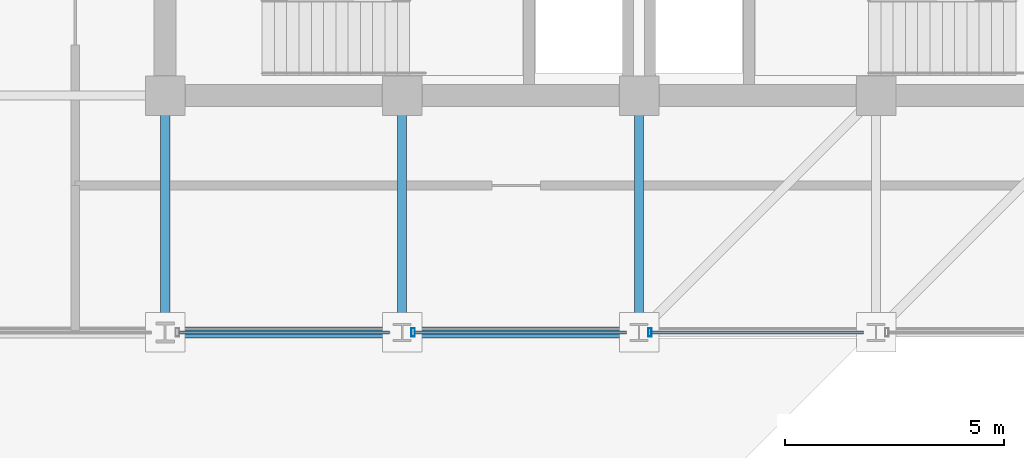
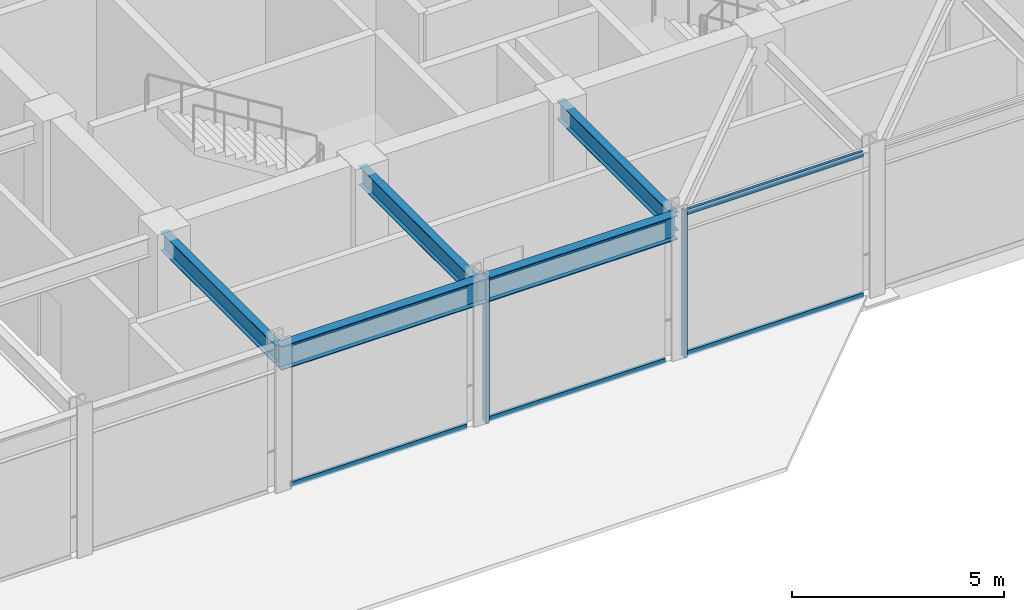
# One storey, part 3 of 22: 8 members, 5 beams, 1 element without a shape of its own.
"""IFC4 building model written with IfcOpenShell, lengths in metres."""

import ifcopenshell
import ifcopenshell.guid

model = None  # the IFC model being written
_history = None  # IfcOwnerHistory: only IFC2X3 demands one
_inside = {}  # id of a spatial element -> (the spatial element, [elements in it])
_under = {}  # id of a project, library or spatial element -> (it, [spatial elements below it])
_declared = {}  # id of a project -> (the project, [libraries it declares])
_typed = {}  # id of a type object -> (the type object, [elements of that type])
_made_of = {}  # id of a material, layer set ... -> (it, [elements and type objects made of it])


def new_model(schema):
    """Start an empty IFC model of exactly this schema.

    Asked for "IFC4X3", IfcOpenShell would pick the latest addendum, in which some entities
    have other attributes; the version numbers below select the first issue.
    IFC2X3 requires an IfcOwnerHistory on every rooted entity: one is made here for all.
    """
    global model, _history
    if schema == "IFC4X3":
        model = ifcopenshell.file(schema_version=(4, 3, 0, 0))
    else:
        model = ifcopenshell.file(schema=schema)
    _inside.clear()
    _under.clear()
    _declared.clear()
    _typed.clear()
    _made_of.clear()
    _history = None
    if model.schema == "IFC2X3":
        org = make("IfcOrganization", Name="unknown")
        user = make(
            "IfcPersonAndOrganization",
            ThePerson=make("IfcPerson", FamilyName="unknown"),
            TheOrganization=org,
        )
        app = make(
            "IfcApplication",
            ApplicationDeveloper=org,
            Version="unknown",
            ApplicationFullName="unknown",
            ApplicationIdentifier="unknown",
        )
        _history = make(
            "IfcOwnerHistory",
            OwningUser=user,
            OwningApplication=app,
            ChangeAction="ADDED",
            CreationDate=0,
        )
    return model


def make(cls, **values):
    """One entity of the class cls with the attributes given. An attribute that is None is left unset."""
    return model.create_entity(
        cls, **{name: value for name, value in values.items() if value is not None}
    )


def rooted(cls, **values):
    """An entity with a GlobalId (a new one), such as an element, a storey or a relation."""
    return make(cls, GlobalId=ifcopenshell.guid.new(), OwnerHistory=_history, **values)


def si_unit(unit_type, name, prefix=None):
    """IfcSIUnit, for example si_unit("LENGTHUNIT", "METRE", prefix="MILLI")."""
    return make("IfcSIUnit", UnitType=unit_type, Prefix=prefix, Name=name)


def assignment(units):
    """IfcUnitAssignment: the units of a project."""
    return None if units is None else make("IfcUnitAssignment", Units=units)


def point(xyz):
    """IfcCartesianPoint."""
    return None if xyz is None else make("IfcCartesianPoint", Coordinates=xyz)


def direction(xyz):
    """IfcDirection."""
    return None if xyz is None else make("IfcDirection", DirectionRatios=xyz)


def frame(location, z_axis=None, x_axis=None):
    """IfcAxis2Placement3D, a coordinate frame: its origin and axes. An axis left out is left unset."""
    return make(
        "IfcAxis2Placement3D",
        Location=point(location),
        Axis=direction(z_axis),
        RefDirection=direction(x_axis),
    )


def frame_2d(location, x_axis=None):
    """IfcAxis2Placement2D, a coordinate frame in the plane: its origin and x axis."""
    return make(
        "IfcAxis2Placement2D", Location=point(location), RefDirection=direction(x_axis)
    )


def origin():
    """The frame at (0, 0, 0) with its axes left unset."""
    return frame((0.0, 0.0, 0.0))


def origin_2d():
    """The frame at (0, 0) in the plane with its x axis left unset."""
    return frame_2d((0.0, 0.0))


def place(relative_to, where):
    """IfcLocalPlacement: puts the frame where relative to a parent placement (None: the world)."""
    return make(
        "IfcLocalPlacement", PlacementRelTo=relative_to, RelativePlacement=where
    )


def context(
    kind, dimensions, precision=None, world=None, true_north=None, identifier=None
):
    """IfcGeometricRepresentationContext, for example the 3D "Model" context."""
    return make(
        "IfcGeometricRepresentationContext",
        ContextIdentifier=identifier,
        ContextType=kind,
        CoordinateSpaceDimension=dimensions,
        Precision=precision,
        WorldCoordinateSystem=world,
        TrueNorth=true_north,
    )


def subcontext(parent, identifier, kind, view, scale=None):
    """IfcGeometricRepresentationSubContext, for example "Body" below "Model"."""
    return make(
        "IfcGeometricRepresentationSubContext",
        ContextIdentifier=identifier,
        ContextType=kind,
        ParentContext=parent,
        TargetScale=scale,
        TargetView=view,
    )


def project(units=None, contexts=None):
    """IfcProject with its units and contexts."""
    return rooted(
        "IfcProject",
        Name="project",
        RepresentationContexts=contexts,
        UnitsInContext=assignment(units),
    )


def spatial(cls, under=None, at=None, **own):
    """A site, building, storey or space (cls), placed at a placement, below another one or the project."""
    s = rooted(cls, ObjectPlacement=at, **own)
    if under is not None:
        _under.setdefault(under.id(), (under, []))[1].append(s)
    return s


def profile(cls, at=None, kind="AREA", **sizes):
    """A parametric profile (cls). Its sizes go by their IFC names, for example OverallWidth=200.0."""
    return make(cls, ProfileType=kind, Position=at, **sizes)


def hollow_rectangle(**sizes):
    """IfcRectangleHollowProfileDef."""
    return profile("IfcRectangleHollowProfileDef", **sizes)


def i_section(**sizes):
    """IfcIShapeProfileDef."""
    return profile("IfcIShapeProfileDef", **sizes)


def extrude(swept, where, along, depth):
    """IfcExtrudedAreaSolid: the profile swept, set in the frame where, extruded along a direction by depth."""
    return make(
        "IfcExtrudedAreaSolid",
        SweptArea=swept,
        Position=where,
        ExtrudedDirection=direction(along),
        Depth=depth,
    )


def shape(context_of_items, identifier, shape_type, items):
    """IfcShapeRepresentation: the items that make up one representation, for example the "Body"."""
    return make(
        "IfcShapeRepresentation",
        ContextOfItems=context_of_items,
        RepresentationIdentifier=identifier,
        RepresentationType=shape_type,
        Items=items,
    )


def material(Name=None, Category=None):
    """IfcMaterial."""
    return make("IfcMaterial", Name=Name, Category=Category)


def layer(
    of_material, thickness, ventilated=None, Name=None, Category=None, Priority=None
):
    """IfcMaterialLayer: one layer of a wall or slab, of a material (None: an air gap)."""
    return make(
        "IfcMaterialLayer",
        Material=of_material,
        LayerThickness=thickness,
        IsVentilated=ventilated,
        Name=Name,
        Category=Category,
        Priority=Priority,
    )


def layer_set(layers, Name=None):
    """IfcMaterialLayerSet."""
    return make("IfcMaterialLayerSet", MaterialLayers=layers, LayerSetName=Name)


def material_profile(
    of_material, cross_section, Name=None, Category=None, Priority=None
):
    """IfcMaterialProfile: a cross section and its material."""
    return make(
        "IfcMaterialProfile",
        Name=Name,
        Material=of_material,
        Profile=cross_section,
        Priority=Priority,
        Category=Category,
    )


def profile_set(profiles, Name=None, composite=None):
    """IfcMaterialProfileSet."""
    return make(
        "IfcMaterialProfileSet",
        Name=Name,
        MaterialProfiles=profiles,
        CompositeProfile=composite,
    )


def made_of(thing, what):
    """Note that an element or type object is made of a material, layer set ...; save() writes the relation."""
    if what is not None:
        _made_of.setdefault(what.id(), (what, []))[1].append(thing)
    return thing


def type_object(cls, material=None, **own):
    """A type object (cls), such as IfcWallType, which elements share."""
    return made_of(rooted(cls, **own), material)


def element(
    cls,
    number,
    at=None,
    inside=None,
    cuts=None,
    type_object=None,
    material=None,
    context=None,
    identifier="Body",
    shape_type=None,
    held_by="IfcProductDefinitionShape",
    body=None,
    shapes=None,
    **own,
):
    """One element of the class cls, such as IfcWall. Its Tag is "e" and its number.

    at: its placement. inside: the storey or other place that contains it. cuts: it is an
    opening in that element (IfcRelVoidsElement). A single representation is given by context,
    identifier, shape_type and body (its items); several are given by shapes. held_by: the class
    of the entity that holds the representations. save() writes the other relations.
    """
    e = rooted(cls, Tag="e%d" % number, ObjectPlacement=at, **own)
    if body is not None:
        shapes = [shape(context, identifier, shape_type, body)]
    if shapes is not None:
        e.Representation = make(held_by, Representations=shapes)
    if inside is not None:
        _inside.setdefault(inside.id(), (inside, []))[1].append(e)
    if cuts is not None:
        rooted(
            "IfcRelVoidsElement", RelatingBuildingElement=cuts, RelatedOpeningElement=e
        )
    if type_object is not None:
        _typed.setdefault(type_object.id(), (type_object, []))[1].append(e)
    return made_of(e, material)


def aggregate(whole, parts):
    """IfcRelAggregates: a whole, such as a stair, and the parts it consists of."""
    return rooted("IfcRelAggregates", RelatingObject=whole, RelatedObjects=parts)


def save(model, path):
    """Write the relations noted so far, then the file.

    IfcRelAggregates (storeys below a building ...), IfcRelContainedInSpatialStructure (elements
    in a storey), IfcRelDefinesByType, IfcRelAssociatesMaterial and IfcRelDeclares: one each for
    every whole, place, type object, material and project.
    """
    for whole, parts in _under.values():
        aggregate(whole, parts)
    for where, things in _inside.values():
        rooted(
            "IfcRelContainedInSpatialStructure",
            RelatedElements=things,
            RelatingStructure=where,
        )
    for kind, things in _typed.values():
        rooted("IfcRelDefinesByType", RelatedObjects=things, RelatingType=kind)
    for what, things in _made_of.values():
        rooted("IfcRelAssociatesMaterial", RelatedObjects=things, RelatingMaterial=what)
    for by, libraries in _declared.values():
        rooted("IfcRelDeclares", RelatingContext=by, RelatedDefinitions=libraries)
    model.write(path)


model = new_model("IFC4")

# Units and contexts
model_context = context("Model", 3, precision=1e-05, world=origin(), true_north=direction((0.0, 1.0)))
body_context = subcontext(model_context, "Body", "Model", "MODEL_VIEW")
ifc_project = project(units=[si_unit("LENGTHUNIT", "METRE"), si_unit("AREAUNIT", "SQUARE_METRE"), si_unit("VOLUMEUNIT", "CUBIC_METRE"), si_unit("PLANEANGLEUNIT", "RADIAN"), si_unit("MASSUNIT", "GRAM", prefix="KILO")], contexts=[model_context])

# Site, building, storey
site_placement = place(None, origin())
site = spatial("IfcSite", under=ifc_project, at=site_placement, CompositionType="ELEMENT")
building_placement = place(site_placement, origin())
building = spatial("IfcBuilding", under=site, at=building_placement, Name="Surkhivell Harbour Commons", CompositionType="ELEMENT")
storey_placement = place(building_placement, frame((0.0, 0.0, 337.5)))
storey = spatial("IfcBuildingStorey", under=building, at=storey_placement, Name="L88", CompositionType="ELEMENT", Elevation=337.5)

# Beams
ifc_material_1 = material(Name="Steel S355", Category="steel")
ifc_material_profile_1 = material_profile(ifc_material_1, i_section(OverallWidth=0.2099609375, OverallDepth=0.537109375, WebThickness=0.0107421875, FlangeThickness=0.017333984375, at=origin_2d()), Name="UB533x210x101")
ifc_profile_set_1 = profile_set([ifc_material_profile_1], Name="Steel S355")
beam_type_1 = type_object("IfcBeamType", Name="BM-GRD-533B", PredefinedType="BEAM", material=ifc_profile_set_1)
for number, where, z_axis, x_axis, name in (
    (1, (-10.800048828125, -16.199951171875, 3.951416015625), (0.0, 1.0, 0.0), (-1.0, 0.0, 0.0), "L88 Floor Girder (-10.8,-16.2)"),
    (2, (-5.39990234375, -16.199951171875, 3.951416015625), (0.0, 1.0, 0.0), (-1.0, 0.0, 0.0), "L88 Floor Girder (-5.4,-16.2)"),
    (3, (0.0, -16.199951171875, 3.951416015625), (0.0, 1.0, 0.0), (-1.0, 0.0, 0.0), "L88 Floor Girder (0.0,-16.2)"),
):
    element("IfcBeam", number, at=place(storey_placement, frame(where, z_axis=z_axis, x_axis=x_axis)), inside=storey, type_object=beam_type_1, Name=name, PredefinedType="BEAM", context=body_context, shape_type="SweptSolid", body=[
        extrude(i_section(OverallWidth=0.2099609375, OverallDepth=0.537109375, WebThickness=0.0107421875, FlangeThickness=0.017333984375, at=origin_2d()), origin(), (0.0, 0.0, 1.0), 5.39990234375),
    ])
ifc_material_profile_2 = material_profile(ifc_material_1, i_section(OverallWidth=0.256103515625, OverallDepth=0.693115234375, WebThickness=0.014404296875, FlangeThickness=0.023681640625, at=origin_2d()), Name="UB686x254x170")
ifc_profile_set_2 = profile_set([ifc_material_profile_2], Name="Steel S355")
beam_type_2 = type_object("IfcBeamType", Name="BM-SPN-686", PredefinedType="SPANDREL", material=ifc_profile_set_2)
beam_1_placement = place(storey_placement, frame((-10.800048828125, -16.199951171875, 3.87353515625), z_axis=(1.0, 0.0, 0.0), x_axis=(0.0, 1.0, 0.0)))
element("IfcBeam", 4, at=beam_1_placement, inside=storey, type_object=beam_type_2, Name="L88 Tube Spandrel (-10.8,-16.2)", PredefinedType="SPANDREL", context=body_context, shape_type="SweptSolid", body=[
    extrude(i_section(OverallWidth=0.256103515625, OverallDepth=0.693115234375, WebThickness=0.014404296875, FlangeThickness=0.023681640625, at=origin_2d()), origin(), (0.0, 0.0, 1.0), 5.400146484375),
])
beam_2_placement = place(storey_placement, frame((-5.39990234375, -16.199951171875, 3.87353515625), z_axis=(1.0, 0.0, 0.0), x_axis=(0.0, 1.0, 0.0)))
element("IfcBeam", 5, at=beam_2_placement, inside=storey, type_object=beam_type_2, Name="L88 Tube Spandrel (-5.4,-16.2)", PredefinedType="SPANDREL", context=body_context, shape_type="SweptSolid", body=[
    extrude(i_section(OverallWidth=0.256103515625, OverallDepth=0.693115234375, WebThickness=0.014404296875, FlangeThickness=0.023681640625, at=origin_2d()), origin(), (0.0, 0.0, 1.0), 5.39990234375),
])

# Curtain wall, members
ifc_material_2 = material(Name="Anodised pale-metal aluminium and insulated glazing", Category="aluminium")
ifc_layer = layer(ifc_material_2, 0.22998046875)
ifc_layer_set = layer_set([ifc_layer], Name="Anodised pale-metal aluminium and insulated glazing")
curtain_wall_type = type_object("IfcCurtainWallType", Name="CW-SYS-CRN", PredefinedType="NOTDEFINED", material=ifc_layer_set)
curtain_wall_placement = place(storey_placement, origin())
curtain_wall = element("IfcCurtainWall", 6, at=curtain_wall_placement, inside=storey, type_object=curtain_wall_type, Name="L88 Curtain Wall CW-L88-C00", PredefinedType="NOTDEFINED")
ifc_material_3 = material(Name="Anodised pale-metal aluminium alloy 6063-T6", Category="aluminium")
ifc_material_profile_3 = material_profile(ifc_material_3, hollow_rectangle(XDim=0.074951171875, YDim=0.18994140625, WallThickness=0.00390625, at=origin_2d()), Name="ALU-MULL-75x190")
ifc_profile_set_3 = profile_set([ifc_material_profile_3], Name="Anodised pale-metal aluminium alloy 6063-T6")
member_type_1 = type_object("IfcMemberType", Name="CWM-190", PredefinedType="MULLION", material=ifc_profile_set_3)
member_1_placement = place(storey_placement, frame((-5.150390625, -16.199951171875, 0.0), z_axis=(0.0, 0.0, 1.0), x_axis=(1.0, 0.0, 0.0)))
member_1 = element("IfcMember", 7, at=member_1_placement, type_object=member_type_1, Name="CW-CRN mullion 4", PredefinedType="MULLION", context=body_context, shape_type="SweptSolid", body=[
    extrude(hollow_rectangle(XDim=0.074951171875, YDim=0.18994140625, WallThickness=0.00390625, at=origin_2d()), origin(), (0.0, 0.0, 1.0), 4.219970703125),
])
member_2_placement = place(storey_placement, frame((0.24951171875, -16.199951171875, 0.0), z_axis=(0.0, 0.0, 1.0), x_axis=(1.0, 0.0, 0.0)))
member_2 = element("IfcMember", 8, at=member_2_placement, type_object=member_type_1, Name="CW-CRN mullion 5", PredefinedType="MULLION", context=body_context, shape_type="SweptSolid", body=[
    extrude(hollow_rectangle(XDim=0.074951171875, YDim=0.18994140625, WallThickness=0.00390625, at=origin_2d()), origin(), (0.0, 0.0, 1.0), 4.219970703125),
])
ifc_material_profile_4 = material_profile(ifc_material_3, hollow_rectangle(XDim=0.074951171875, YDim=0.14990234375, WallThickness=0.00341796875, at=origin_2d()), Name="ALU-TRAN-75x150")
ifc_profile_set_4 = profile_set([ifc_material_profile_4], Name="Anodised pale-metal aluminium alloy 6063-T6")
member_type_2 = type_object("IfcMemberType", Name="CWT-150", PredefinedType="USERDEFINED", material=ifc_profile_set_4)
member_3_placement = place(storey_placement, frame((-10.48291015625, -16.199951171875, 0.074951171875), z_axis=(1.0, 0.0, 0.0), x_axis=(0.0, 1.0, 0.0)))
member_3 = element("IfcMember", 9, at=member_3_placement, type_object=member_type_2, Name="CW-CRN transom 3.1", ObjectType="TRANSOM", PredefinedType="USERDEFINED", context=body_context, shape_type="SweptSolid", body=[
    extrude(hollow_rectangle(XDim=0.074951171875, YDim=0.14990234375, WallThickness=0.00341796875, at=origin_2d()), origin(), (0.0, 0.0, 1.0), 4.7958984375),
])
member_4_placement = place(storey_placement, frame((-10.48291015625, -16.199951171875, 4.14501953125), z_axis=(1.0, 0.0, 0.0), x_axis=(0.0, 1.0, 0.0)))
member_4 = element("IfcMember", 10, at=member_4_placement, type_object=member_type_2, Name="CW-CRN transom 3.2", ObjectType="TRANSOM", PredefinedType="USERDEFINED", context=body_context, shape_type="SweptSolid", body=[
    extrude(hollow_rectangle(XDim=0.074951171875, YDim=0.14990234375, WallThickness=0.00341796875, at=origin_2d()), origin(), (0.0, 0.0, 1.0), 4.7958984375),
])
member_5_placement = place(storey_placement, frame((-5.113037109375, -16.199951171875, 0.074951171875), z_axis=(1.0, 0.0, 0.0), x_axis=(0.0, 1.0, 0.0)))
member_5 = element("IfcMember", 11, at=member_5_placement, type_object=member_type_2, Name="CW-CRN transom 4.1", ObjectType="TRANSOM", PredefinedType="USERDEFINED", context=body_context, shape_type="SweptSolid", body=[
    extrude(hollow_rectangle(XDim=0.074951171875, YDim=0.14990234375, WallThickness=0.00341796875, at=origin_2d()), origin(), (0.0, 0.0, 1.0), 4.825927734375),
])
member_6_placement = place(storey_placement, frame((-5.113037109375, -16.199951171875, 4.14501953125), z_axis=(1.0, 0.0, 0.0), x_axis=(0.0, 1.0, 0.0)))
member_6 = element("IfcMember", 12, at=member_6_placement, type_object=member_type_2, Name="CW-CRN transom 4.2", ObjectType="TRANSOM", PredefinedType="USERDEFINED", context=body_context, shape_type="SweptSolid", body=[
    extrude(hollow_rectangle(XDim=0.074951171875, YDim=0.14990234375, WallThickness=0.00341796875, at=origin_2d()), origin(), (0.0, 0.0, 1.0), 4.825927734375),
])
member_7_placement = place(storey_placement, frame((0.287109375, -16.199951171875, 0.074951171875), z_axis=(1.0, 0.0, 0.0), x_axis=(0.0, 1.0, 0.0)))
member_7 = element("IfcMember", 13, at=member_7_placement, type_object=member_type_2, Name="CW-CRN transom 5.1", ObjectType="TRANSOM", PredefinedType="USERDEFINED", context=body_context, shape_type="SweptSolid", body=[
    extrude(hollow_rectangle(XDim=0.074951171875, YDim=0.14990234375, WallThickness=0.00341796875, at=origin_2d()), origin(), (0.0, 0.0, 1.0), 4.825927734375),
])
member_8_placement = place(storey_placement, frame((0.287109375, -16.199951171875, 4.14501953125), z_axis=(1.0, 0.0, 0.0), x_axis=(0.0, 1.0, 0.0)))
member_8 = element("IfcMember", 14, at=member_8_placement, type_object=member_type_2, Name="CW-CRN transom 5.2", ObjectType="TRANSOM", PredefinedType="USERDEFINED", context=body_context, shape_type="SweptSolid", body=[
    extrude(hollow_rectangle(XDim=0.074951171875, YDim=0.14990234375, WallThickness=0.00341796875, at=origin_2d()), origin(), (0.0, 0.0, 1.0), 4.825927734375),
])
aggregate(curtain_wall, [member_3, member_4, member_1, member_5, member_6, member_2, member_7, member_8])

save(model, "model.ifc")
